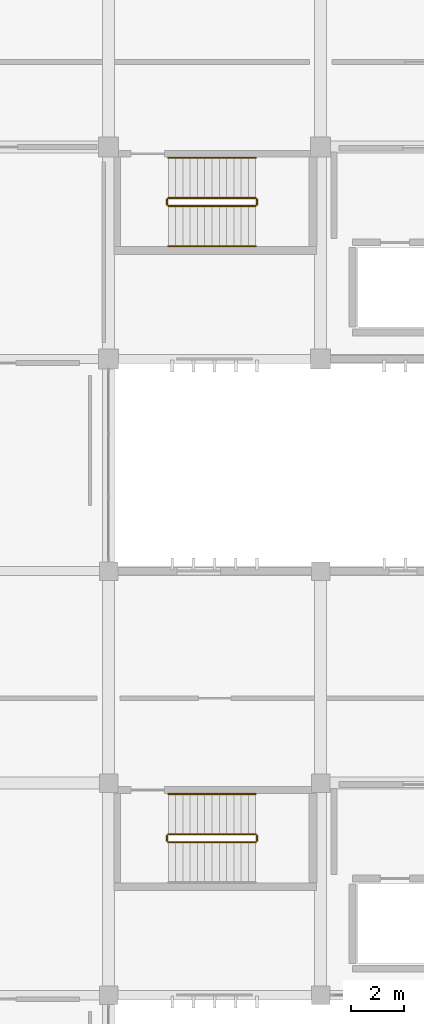
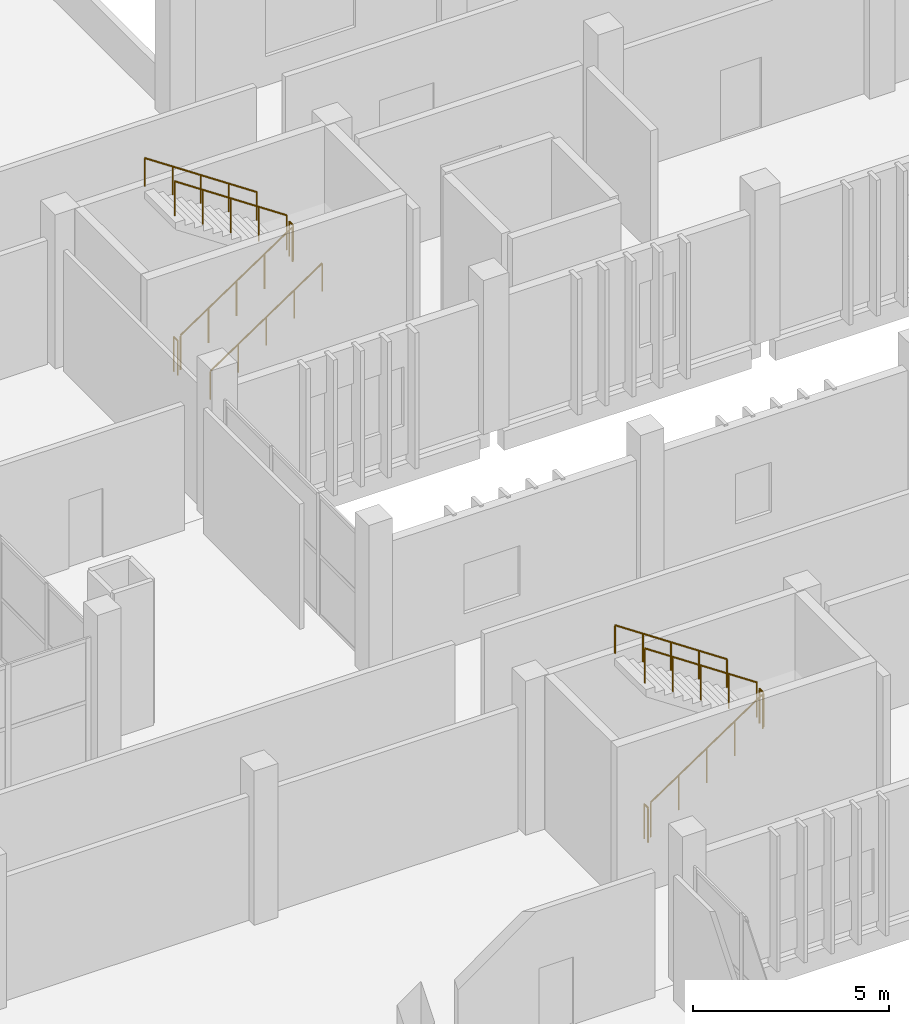
# One storey, part 102 of 106: 11 railings.
"""IFC4 building model written with IfcOpenShell, lengths in metres."""

from ifc_helpers import new_model, si_unit, direction, frame, origin, origin_2d, place, context, subcontext, project, spatial, circle, extrude, material, type_object, element, save


model = new_model("IFC4")

# Units and contexts
model_context = context("Model", 3, precision=1e-05, world=origin(), true_north=direction((0.0, 1.0)))
body_context = subcontext(model_context, "Body", "Model", "MODEL_VIEW")
ifc_project = project(units=[si_unit("LENGTHUNIT", "METRE"), si_unit("AREAUNIT", "SQUARE_METRE"), si_unit("VOLUMEUNIT", "CUBIC_METRE"), si_unit("PLANEANGLEUNIT", "RADIAN"), si_unit("MASSUNIT", "GRAM", prefix="KILO")], contexts=[model_context])

# Site, building, storey
site_placement = place(None, origin())
site = spatial("IfcSite", under=ifc_project, at=site_placement, CompositionType="ELEMENT")
building_placement = place(site_placement, origin())
building = spatial("IfcBuilding", under=site, at=building_placement, Name="Jelvoka-Kovrelna Polytechnic", CompositionType="ELEMENT")
storey_placement = place(building_placement, frame((0.0, 0.0, 4.800048828125)))
storey = spatial("IfcBuildingStorey", under=building, at=storey_placement, Name="L02", CompositionType="ELEMENT", Elevation=4.800048828125)

# Railings
ifc_material_1 = material(Name="Powder-coated steel stair guard", Category="steel")
railing_type_1 = type_object("IfcRailingType", Name="Railing_Stair_Guard_1100", PredefinedType="GUARDRAIL", material=ifc_material_1)
railing_1_placement = place(storey_placement, frame((82.25, 37.77001953125, 0.1845703125)))
element("IfcRailing", 1, at=railing_1_placement, inside=storey, type_object=railing_type_1, Name="L02 ST07 stair guard 1", PredefinedType="GUARDRAIL", context=body_context, shape_type="SweptSolid", body=[
    extrude(circle(Radius=0.02392578125, at=origin_2d()), frame((0.0, 0.0, 1.076171875), z_axis=(0.830269453126, 0.0, 0.557362211857), x_axis=(0.0, 1.0, 0.0)), (0.0, 0.0, 1.0), 3.974609375),
    extrude(circle(Radius=0.02099609375, at=origin_2d()), origin(), (0.0, 0.0, 1.0), 1.052001953125),
    extrude(circle(Radius=0.02099609375, at=origin_2d()), frame((0.824951171875, 0.0, 0.5537109375)), (0.0, 0.0, 1.0), 1.052001953125),
    extrude(circle(Radius=0.02099609375, at=origin_2d()), frame((1.64990234375, 0.0, 1.107666015625)), (0.0, 0.0, 1.0), 1.052001953125),
    extrude(circle(Radius=0.02099609375, at=origin_2d()), frame((2.47509765625, 0.0, 1.66162109375)), (0.0, 0.0, 1.0), 1.052001953125),
    extrude(circle(Radius=0.02099609375, at=origin_2d()), frame((3.300048828125, 0.0, 2.21533203125)), (0.0, 0.0, 1.0), 1.052001953125),
])
railing_2_placement = place(storey_placement, frame((85.60009765625, 37.820068359375, 2.39990234375)))
element("IfcRailing", 2, at=railing_2_placement, inside=storey, type_object=railing_type_1, Name="L02 ST07 stair guard 2", PredefinedType="GUARDRAIL", context=body_context, shape_type="SweptSolid", body=[
    extrude(circle(Radius=0.02392578125, at=origin_2d()), frame((0.0, 0.0, 1.076171875), z_axis=(0.0, 1.0, 0.0), x_axis=(-1.0, 0.0, 0.0)), (0.0, 0.0, 1.0), 0.199951171875),
    extrude(circle(Radius=0.02099609375, at=origin_2d()), origin(), (0.0, 0.0, 1.0), 1.052001953125),
    extrude(circle(Radius=0.02099609375, at=origin_2d()), frame((0.0, 0.199951171875, 0.0)), (0.0, 0.0, 1.0), 1.052001953125),
])
railing_3_placement = place(storey_placement, frame((85.550048828125, 38.070068359375, 2.58447265625)))
element("IfcRailing", 3, at=railing_3_placement, inside=storey, type_object=railing_type_1, Name="L02 ST07 stair guard 3", PredefinedType="GUARDRAIL", context=body_context, shape_type="SweptSolid", body=[
    extrude(circle(Radius=0.02392578125, at=origin_2d()), frame((0.0, 0.0, 1.076171875), z_axis=(-0.830241028356, 0.0, 0.557404552218), x_axis=(0.0, -1.0, 0.0)), (0.0, 0.0, 1.0), 3.974853515625),
    extrude(circle(Radius=0.02099609375, at=origin_2d()), origin(), (0.0, 0.0, 1.0), 1.052001953125),
    extrude(circle(Radius=0.02099609375, at=origin_2d()), frame((-0.824951171875, 0.0, 0.553955078125)), (0.0, 0.0, 1.0), 1.052001953125),
    extrude(circle(Radius=0.02099609375, at=origin_2d()), frame((-1.64990234375, 0.0, 1.10791015625)), (0.0, 0.0, 1.0), 1.052001953125),
    extrude(circle(Radius=0.02099609375, at=origin_2d()), frame((-2.47509765625, 0.0, 1.66162109375)), (0.0, 0.0, 1.0), 1.052001953125),
    extrude(circle(Radius=0.02099609375, at=origin_2d()), frame((-3.300048828125, 0.0, 2.215576171875)), (0.0, 0.0, 1.0), 1.052001953125),
])
railing_4_placement = place(storey_placement, frame((82.199951171875, 37.820068359375, 0.0)))
element("IfcRailing", 4, at=railing_4_placement, inside=storey, type_object=railing_type_1, Name="L02 ST07 stair guard 4", PredefinedType="GUARDRAIL", context=body_context, shape_type="SweptSolid", body=[
    extrude(circle(Radius=0.02392578125, at=origin_2d()), frame((0.0, 0.0, 1.076171875), z_axis=(0.0, 1.0, 0.0), x_axis=(-1.0, 0.0, 0.0)), (0.0, 0.0, 1.0), 0.199951171875),
    extrude(circle(Radius=0.02099609375, at=origin_2d()), origin(), (0.0, 0.0, 1.0), 1.052001953125),
    extrude(circle(Radius=0.02099609375, at=origin_2d()), frame((0.0, 0.199951171875, 0.0)), (0.0, 0.0, 1.0), 1.052001953125),
])
railing_5_placement = place(storey_placement, frame((82.25, 61.77001953125, 0.1845703125)))
element("IfcRailing", 5, at=railing_5_placement, inside=storey, type_object=railing_type_1, Name="L02 ST09 stair guard 1", PredefinedType="GUARDRAIL", context=body_context, shape_type="SweptSolid", body=[
    extrude(circle(Radius=0.02392578125, at=origin_2d()), frame((0.0, 0.0, 1.076171875), z_axis=(0.830269453126, 0.0, 0.557362211857), x_axis=(0.0, 1.0, 0.0)), (0.0, 0.0, 1.0), 3.974609375),
    extrude(circle(Radius=0.02099609375, at=origin_2d()), origin(), (0.0, 0.0, 1.0), 1.052001953125),
    extrude(circle(Radius=0.02099609375, at=origin_2d()), frame((0.824951171875, 0.0, 0.5537109375)), (0.0, 0.0, 1.0), 1.052001953125),
    extrude(circle(Radius=0.02099609375, at=origin_2d()), frame((1.64990234375, 0.0, 1.107666015625)), (0.0, 0.0, 1.0), 1.052001953125),
    extrude(circle(Radius=0.02099609375, at=origin_2d()), frame((2.47509765625, 0.0, 1.66162109375)), (0.0, 0.0, 1.0), 1.052001953125),
    extrude(circle(Radius=0.02099609375, at=origin_2d()), frame((3.300048828125, 0.0, 2.21533203125)), (0.0, 0.0, 1.0), 1.052001953125),
])
railing_6_placement = place(storey_placement, frame((85.60009765625, 61.820068359375, 2.39990234375)))
element("IfcRailing", 6, at=railing_6_placement, inside=storey, type_object=railing_type_1, Name="L02 ST09 stair guard 2", PredefinedType="GUARDRAIL", context=body_context, shape_type="SweptSolid", body=[
    extrude(circle(Radius=0.02392578125, at=origin_2d()), frame((0.0, 0.0, 1.076171875), z_axis=(0.0, 1.0, 0.0), x_axis=(-1.0, 0.0, 0.0)), (0.0, 0.0, 1.0), 0.199951171875),
    extrude(circle(Radius=0.02099609375, at=origin_2d()), origin(), (0.0, 0.0, 1.0), 1.052001953125),
    extrude(circle(Radius=0.02099609375, at=origin_2d()), frame((0.0, 0.199951171875, 0.0)), (0.0, 0.0, 1.0), 1.052001953125),
])
railing_7_placement = place(storey_placement, frame((85.550048828125, 62.070068359375, 2.58447265625)))
element("IfcRailing", 7, at=railing_7_placement, inside=storey, type_object=railing_type_1, Name="L02 ST09 stair guard 3", PredefinedType="GUARDRAIL", context=body_context, shape_type="SweptSolid", body=[
    extrude(circle(Radius=0.02392578125, at=origin_2d()), frame((0.0, 0.0, 1.076171875), z_axis=(-0.830241028356, 0.0, 0.557404552218), x_axis=(0.0, -1.0, 0.0)), (0.0, 0.0, 1.0), 3.974853515625),
    extrude(circle(Radius=0.02099609375, at=origin_2d()), origin(), (0.0, 0.0, 1.0), 1.052001953125),
    extrude(circle(Radius=0.02099609375, at=origin_2d()), frame((-0.824951171875, 0.0, 0.553955078125)), (0.0, 0.0, 1.0), 1.052001953125),
    extrude(circle(Radius=0.02099609375, at=origin_2d()), frame((-1.64990234375, 0.0, 1.10791015625)), (0.0, 0.0, 1.0), 1.052001953125),
    extrude(circle(Radius=0.02099609375, at=origin_2d()), frame((-2.47509765625, 0.0, 1.66162109375)), (0.0, 0.0, 1.0), 1.052001953125),
    extrude(circle(Radius=0.02099609375, at=origin_2d()), frame((-3.300048828125, 0.0, 2.215576171875)), (0.0, 0.0, 1.0), 1.052001953125),
])
railing_8_placement = place(storey_placement, frame((82.199951171875, 61.820068359375, 0.0)))
element("IfcRailing", 8, at=railing_8_placement, inside=storey, type_object=railing_type_1, Name="L02 ST09 stair guard 4", PredefinedType="GUARDRAIL", context=body_context, shape_type="SweptSolid", body=[
    extrude(circle(Radius=0.02392578125, at=origin_2d()), frame((0.0, 0.0, 1.076171875), z_axis=(0.0, 1.0, 0.0), x_axis=(-1.0, 0.0, 0.0)), (0.0, 0.0, 1.0), 0.199951171875),
    extrude(circle(Radius=0.02099609375, at=origin_2d()), origin(), (0.0, 0.0, 1.0), 1.052001953125),
    extrude(circle(Radius=0.02099609375, at=origin_2d()), frame((0.0, 0.199951171875, 0.0)), (0.0, 0.0, 1.0), 1.052001953125),
])
ifc_material_2 = material(Name="Brushed stainless steel handrail", Category="steel")
railing_type_2 = type_object("IfcRailingType", Name="Railing_Stair_Handrail_900", PredefinedType="HANDRAIL", material=ifc_material_2)
railing_9_placement = place(storey_placement, frame((85.550048828125, 39.590087890625, 2.58447265625)))
element("IfcRailing", 9, at=railing_9_placement, inside=storey, type_object=railing_type_2, Name="L02 ST07 stair handrail 2", PredefinedType="HANDRAIL", context=body_context, shape_type="SweptSolid", body=[
    extrude(circle(Radius=0.02392578125, at=origin_2d()), frame((0.0, 0.0, 0.8759765625), z_axis=(-0.830241028356, 0.0, 0.557404552218), x_axis=(0.0, -1.0, 0.0)), (0.0, 0.0, 1.0), 3.974853515625),
    extrude(circle(Radius=0.02099609375, at=origin_2d()), origin(), (0.0, 0.0, 1.0), 0.851806640625),
    extrude(circle(Radius=0.02099609375, at=origin_2d()), frame((-0.824951171875, 0.0, 0.553955078125)), (0.0, 0.0, 1.0), 0.851806640625),
    extrude(circle(Radius=0.02099609375, at=origin_2d()), frame((-1.64990234375, 0.0, 1.10791015625)), (0.0, 0.0, 1.0), 0.851806640625),
    extrude(circle(Radius=0.02099609375, at=origin_2d()), frame((-2.47509765625, 0.0, 1.66162109375)), (0.0, 0.0, 1.0), 0.851806640625),
    extrude(circle(Radius=0.02099609375, at=origin_2d()), frame((-3.300048828125, 0.0, 2.215576171875)), (0.0, 0.0, 1.0), 0.851806640625),
])
railing_10_placement = place(storey_placement, frame((82.25, 60.25, 0.1845703125)))
element("IfcRailing", 10, at=railing_10_placement, inside=storey, type_object=railing_type_2, Name="L02 ST09 stair handrail 1", PredefinedType="HANDRAIL", context=body_context, shape_type="SweptSolid", body=[
    extrude(circle(Radius=0.02392578125, at=origin_2d()), frame((0.0, 0.0, 0.8759765625), z_axis=(0.830269453126, 0.0, 0.557362211857), x_axis=(0.0, 1.0, 0.0)), (0.0, 0.0, 1.0), 3.974609375),
    extrude(circle(Radius=0.02099609375, at=origin_2d()), origin(), (0.0, 0.0, 1.0), 0.851806640625),
    extrude(circle(Radius=0.02099609375, at=origin_2d()), frame((0.824951171875, 0.0, 0.5537109375)), (0.0, 0.0, 1.0), 0.851806640625),
    extrude(circle(Radius=0.02099609375, at=origin_2d()), frame((1.64990234375, 0.0, 1.107666015625)), (0.0, 0.0, 1.0), 0.851806640625),
    extrude(circle(Radius=0.02099609375, at=origin_2d()), frame((2.47509765625, 0.0, 1.66162109375)), (0.0, 0.0, 1.0), 0.851806640625),
    extrude(circle(Radius=0.02099609375, at=origin_2d()), frame((3.300048828125, 0.0, 2.21533203125)), (0.0, 0.0, 1.0), 0.851806640625),
])
railing_11_placement = place(storey_placement, frame((85.550048828125, 63.590087890625, 2.58447265625)))
element("IfcRailing", 11, at=railing_11_placement, inside=storey, type_object=railing_type_2, Name="L02 ST09 stair handrail 2", PredefinedType="HANDRAIL", context=body_context, shape_type="SweptSolid", body=[
    extrude(circle(Radius=0.02392578125, at=origin_2d()), frame((0.0, 0.0, 0.8759765625), z_axis=(-0.830241028356, 0.0, 0.557404552218), x_axis=(0.0, -1.0, 0.0)), (0.0, 0.0, 1.0), 3.974853515625),
    extrude(circle(Radius=0.02099609375, at=origin_2d()), origin(), (0.0, 0.0, 1.0), 0.851806640625),
    extrude(circle(Radius=0.02099609375, at=origin_2d()), frame((-0.824951171875, 0.0, 0.553955078125)), (0.0, 0.0, 1.0), 0.851806640625),
    extrude(circle(Radius=0.02099609375, at=origin_2d()), frame((-1.64990234375, 0.0, 1.10791015625)), (0.0, 0.0, 1.0), 0.851806640625),
    extrude(circle(Radius=0.02099609375, at=origin_2d()), frame((-2.47509765625, 0.0, 1.66162109375)), (0.0, 0.0, 1.0), 0.851806640625),
    extrude(circle(Radius=0.02099609375, at=origin_2d()), frame((-3.300048828125, 0.0, 2.215576171875)), (0.0, 0.0, 1.0), 0.851806640625),
])

save(model, "model.ifc")
